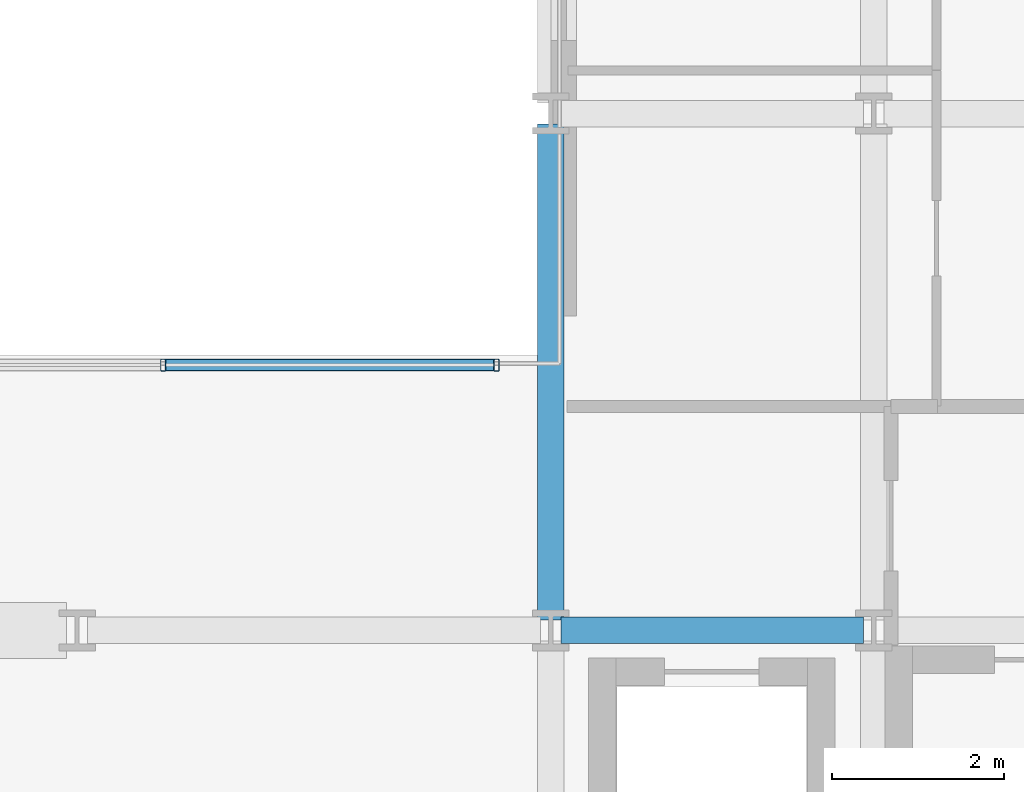
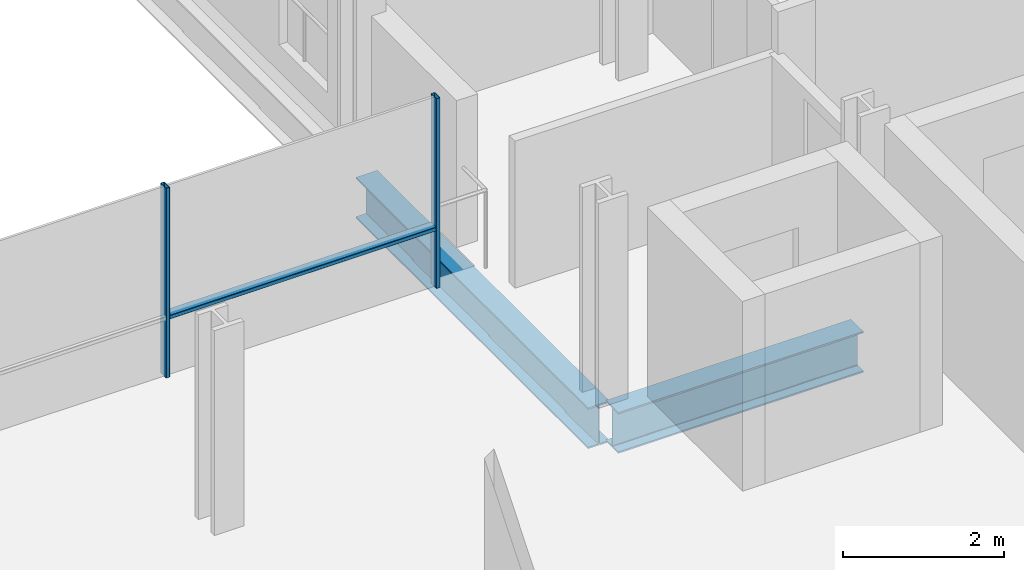
# One storey, part 13 of 38: 3 members, 2 beams, 1 element without a shape of its own.
"""IFC4 building model written with IfcOpenShell, lengths in metres."""

from ifc_helpers import new_model, si_unit, direction, frame, origin, origin_2d, place, context, subcontext, project, spatial, hollow_rectangle, i_section, extrude, material, layer, layer_set, material_profile, profile_set, type_object, element, aggregate, save


model = new_model("IFC4")

# Units and contexts
model_context = context("Model", 3, precision=1e-05, world=origin(), true_north=direction((0.0, 1.0)))
body_context = subcontext(model_context, "Body", "Model", "MODEL_VIEW")
ifc_project = project(units=[si_unit("LENGTHUNIT", "METRE"), si_unit("AREAUNIT", "SQUARE_METRE"), si_unit("VOLUMEUNIT", "CUBIC_METRE"), si_unit("PLANEANGLEUNIT", "RADIAN"), si_unit("MASSUNIT", "GRAM", prefix="KILO")], contexts=[model_context])

# Site, building, storey
site_placement = place(None, origin())
site = spatial("IfcSite", under=ifc_project, at=site_placement, CompositionType="ELEMENT")
building_placement = place(site_placement, origin())
building = spatial("IfcBuilding", under=site, at=building_placement, Name="Brevholm Reach", CompositionType="ELEMENT")
storey_placement = place(building_placement, frame((0.0, 0.0, 46.60009765625)))
storey = spatial("IfcBuildingStorey", under=building, at=storey_placement, Name="L12", CompositionType="ELEMENT", Elevation=46.60009765625)

# Beams
ifc_material_1 = material(Name="Structural Steel S355J2", Category="steel")
ifc_material_profile_1 = material_profile(ifc_material_1, i_section(OverallWidth=0.30712890625, OverallDepth=0.6201171875, WebThickness=0.01416015625, FlangeThickness=0.023681640625, FilletRadius=0.0166015625, at=origin_2d()), Name="UKB 610x305x179")
ifc_profile_set_1 = profile_set([ifc_material_profile_1], Name="Structural Steel S355J2")
beam_type = type_object("IfcBeamType", Name="BM-UKB610H", PredefinedType="USERDEFINED", material=ifc_profile_set_1)
beam_1_placement = place(storey_placement, frame((38.3701171875, 10.0, -0.540283203125), z_axis=(1.0, 0.0, 0.0), x_axis=(0.0, 1.0, 0.0)))
element("IfcBeam", 1, at=beam_1_placement, inside=storey, type_object=beam_type, Name="L12 G-06 Framing Beam", ObjectType="GIRDER", PredefinedType="USERDEFINED", context=body_context, shape_type="SweptSolid", body=[
    extrude(i_section(OverallWidth=0.30712890625, OverallDepth=0.6201171875, WebThickness=0.01416015625, FlangeThickness=0.023681640625, FilletRadius=0.0166015625, at=origin_2d()), origin(), (0.0, 0.0, 1.0), 3.509765625),
])
beam_2_placement = place(storey_placement, frame((38.25, 10.1201171875, -0.540283203125), z_axis=(0.0, 1.0, 0.0), x_axis=(-1.0, 0.0, 0.0)))
element("IfcBeam", 2, at=beam_2_placement, inside=storey, type_object=beam_type, Name="L12 G-06 Framing Beam", ObjectType="GIRDER", PredefinedType="USERDEFINED", context=body_context, shape_type="SweptSolid", body=[
    extrude(i_section(OverallWidth=0.30712890625, OverallDepth=0.6201171875, WebThickness=0.01416015625, FlangeThickness=0.023681640625, FilletRadius=0.0166015625, at=origin_2d()), origin(), (0.0, 0.0, 1.0), 5.759765625),
])

# Curtain wall, members
ifc_material_2 = material(Name="Dark Anodised Aluminium 6063-T6 and Solar-Control Glass", Category="aluminium")
ifc_layer = layer(ifc_material_2, 0.139892578125)
ifc_layer_set = layer_set([ifc_layer], Name="Dark Anodised Aluminium 6063-T6 and Solar-Control Glass")
curtain_wall_type = type_object("IfcCurtainWallType", Name="CW-02", PredefinedType="NOTDEFINED", material=ifc_layer_set)
curtain_wall_placement = place(storey_placement, origin())
curtain_wall = element("IfcCurtainWall", 3, at=curtain_wall_placement, inside=storey, type_object=curtain_wall_type, Name="L12 Curtain Wall CW-02", PredefinedType="NOTDEFINED")
ifc_material_3 = material(Name="Dark Anodised Aluminium 6063-T6", Category="aluminium")
ifc_material_profile_2 = material_profile(ifc_material_3, hollow_rectangle(XDim=0.06005859375, YDim=0.139892578125, WallThickness=0.0048828125, InnerFilletRadius=0.0048828125, OuterFilletRadius=0.010009765625, at=origin_2d()), Name="RHS 140x60x5")
ifc_profile_set_2 = profile_set([ifc_material_profile_2], Name="Dark Anodised Aluminium 6063-T6")
member_type_1 = type_object("IfcMemberType", Name="CWM-140", PredefinedType="MULLION", material=ifc_profile_set_2)
member_1_placement = place(storey_placement, frame((33.75, 13.080078125, 0.0), z_axis=(0.0, 0.0, 1.0), x_axis=(1.0, 0.0, 0.0)))
member_1 = element("IfcMember", 4, at=member_1_placement, type_object=member_type_1, Name="CM-140 Mullion 4", PredefinedType="MULLION", context=body_context, shape_type="SweptSolid", body=[
    extrude(hollow_rectangle(XDim=0.06005859375, YDim=0.139892578125, WallThickness=0.0048828125, InnerFilletRadius=0.0048828125, OuterFilletRadius=0.010009765625, at=origin_2d()), origin(), (0.0, 0.0, 1.0), 2.869873046875),
])
member_2_placement = place(storey_placement, frame((37.6201171875, 13.080078125, 0.0), z_axis=(0.0, 0.0, 1.0), x_axis=(1.0, 0.0, 0.0)))
member_2 = element("IfcMember", 5, at=member_2_placement, type_object=member_type_1, Name="CM-140 Mullion 5", PredefinedType="MULLION", context=body_context, shape_type="SweptSolid", body=[
    extrude(hollow_rectangle(XDim=0.06005859375, YDim=0.139892578125, WallThickness=0.0048828125, InnerFilletRadius=0.0048828125, OuterFilletRadius=0.010009765625, at=origin_2d()), origin(), (0.0, 0.0, 1.0), 2.869873046875),
])
ifc_material_4 = material(Name="Dark Anodised Aluminium 6063-T6", Category="aluminium")
ifc_material_profile_3 = material_profile(ifc_material_4, hollow_rectangle(XDim=0.06005859375, YDim=0.139892578125, WallThickness=0.0048828125, InnerFilletRadius=0.0048828125, OuterFilletRadius=0.010009765625, at=origin_2d()), Name="RHS 140x60x5")
ifc_profile_set_3 = profile_set([ifc_material_profile_3], Name="Dark Anodised Aluminium 6063-T6")
member_type_2 = type_object("IfcMemberType", Name="CWT-140", PredefinedType="NOTDEFINED", material=ifc_profile_set_3)
member_3_placement = place(storey_placement, frame((33.780029296875, 13.080078125, 0.89990234375), z_axis=(1.0, 0.0, 0.0), x_axis=(0.0, 0.0, 1.0)))
member_3 = element("IfcMember", 6, at=member_3_placement, type_object=member_type_2, Name="CT-140 Transom 4.1", ObjectType="TRANSOM", PredefinedType="USERDEFINED", context=body_context, shape_type="SweptSolid", body=[
    extrude(hollow_rectangle(XDim=0.06005859375, YDim=0.139892578125, WallThickness=0.0048828125, InnerFilletRadius=0.0048828125, OuterFilletRadius=0.010009765625, at=origin_2d()), origin(), (0.0, 0.0, 1.0), 3.81005859375),
])
aggregate(curtain_wall, [member_1, member_2, member_3])

save(model, "model.ifc")
